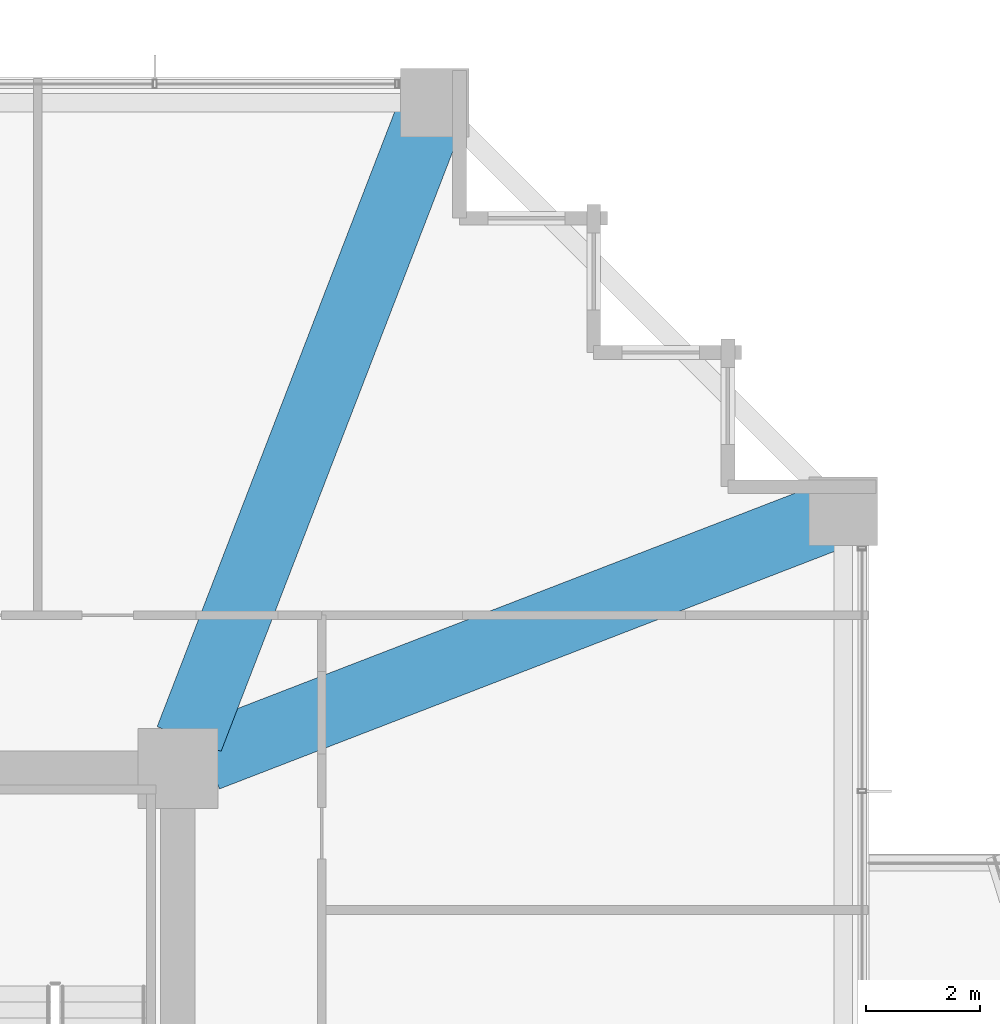
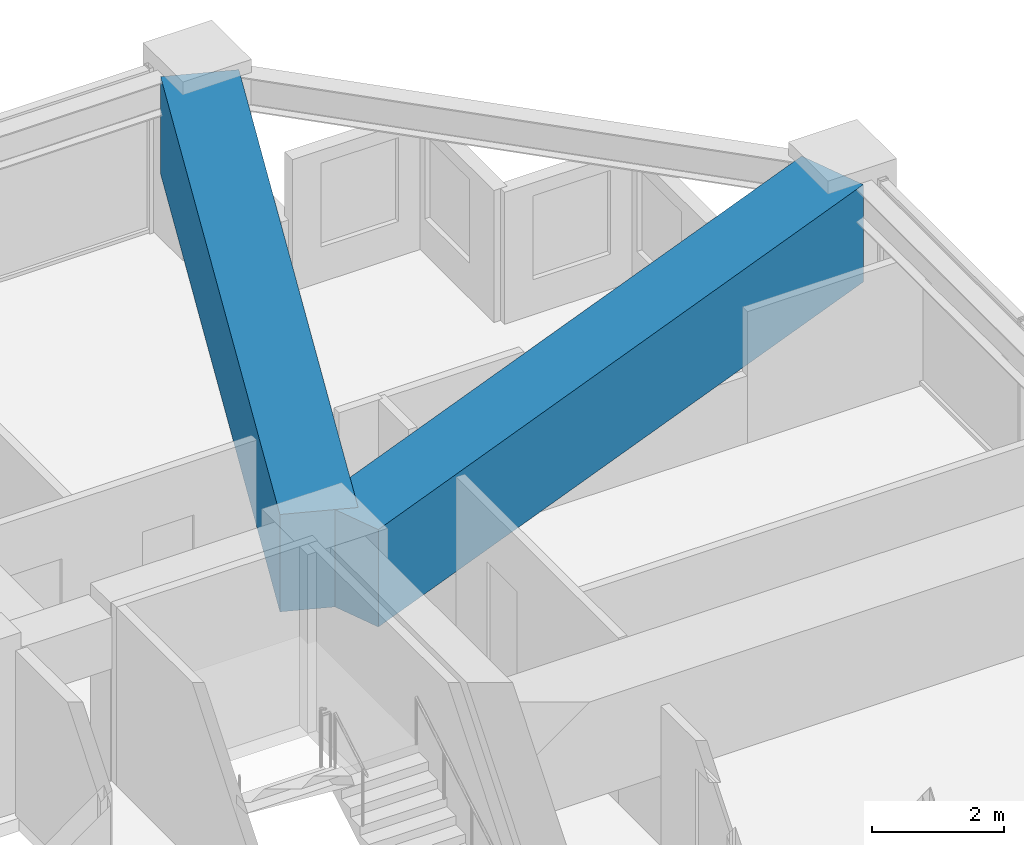
# One storey, part 25 of 39: 2 beams.
"""IFC4 building model written with IfcOpenShell, lengths in metres."""

from ifc_helpers import new_model, si_unit, direction, frame, origin, origin_2d, place, context, subcontext, project, spatial, rectangle, extrude, material, material_profile, profile_set, type_object, element, save


model = new_model("IFC4")

# Units and contexts
model_context = context("Model", 3, precision=1e-05, world=origin(), true_north=direction((0.0, 1.0)))
body_context = subcontext(model_context, "Body", "Model", "MODEL_VIEW")
ifc_project = project(units=[si_unit("LENGTHUNIT", "METRE"), si_unit("AREAUNIT", "SQUARE_METRE"), si_unit("VOLUMEUNIT", "CUBIC_METRE"), si_unit("PLANEANGLEUNIT", "RADIAN"), si_unit("MASSUNIT", "GRAM", prefix="KILO")], contexts=[model_context])

# Site, building, storey
site_placement = place(None, origin())
site = spatial("IfcSite", under=ifc_project, at=site_placement, CompositionType="ELEMENT")
building_placement = place(site_placement, origin())
building = spatial("IfcBuilding", under=site, at=building_placement, Name="Kolvaren Belvedere", CompositionType="ELEMENT")
storey_placement = place(building_placement, frame((0.0, 0.0, 40.300048828125)))
storey = spatial("IfcBuildingStorey", under=building, at=storey_placement, Name="L11", CompositionType="ELEMENT", Elevation=40.300048828125)

# Beams
ifc_material = material(Name="Concrete C50/60", Category="concrete")
ifc_material_profile = material_profile(ifc_material, rectangle(XDim=1.199951171875, YDim=1.800048828125, at=origin_2d()), Name="RC 1200X1800")
ifc_profile_set = profile_set([ifc_material_profile], Name="Concrete C50/60")
beam_type = type_object("IfcBeamType", Name="BM-TG-1800", PredefinedType="BEAM", material=ifc_profile_set)
for number, where, z_axis, x_axis, name in (
    (1, (10.09814453125, 10.4130859375, 2.159912109375), (0.360318391835, 0.932829382313, 0.0), (-0.932829382313, 0.360318391835, 0.0), "L11 Corner Core-to-Perimeter Girder CC3-N4"),
    (2, (10.4130859375, 10.09814453125, 2.159912109375), (0.932829382313, 0.360318391835, 0.0), (-0.360318391835, 0.932829382313, 0.0), "L11 Corner Core-to-Perimeter Girder CC3-E4"),
):
    element("IfcBeam", number, at=place(storey_placement, frame(where, z_axis=z_axis, x_axis=x_axis)), inside=storey, type_object=beam_type, Name=name, PredefinedType="BEAM", context=body_context, shape_type="SweptSolid", body=[
        extrude(rectangle(XDim=1.199951171875, YDim=1.800048828125, at=origin_2d()), origin(), (0.0, 0.0, 1.0), 11.698974609375),
    ])

save(model, "model.ifc")
